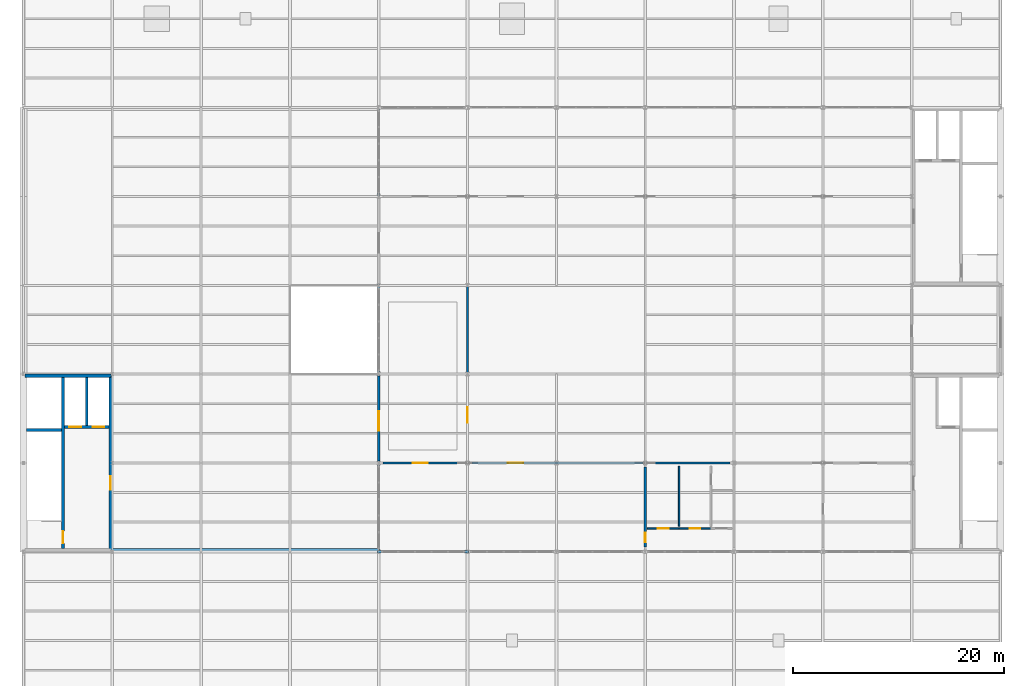
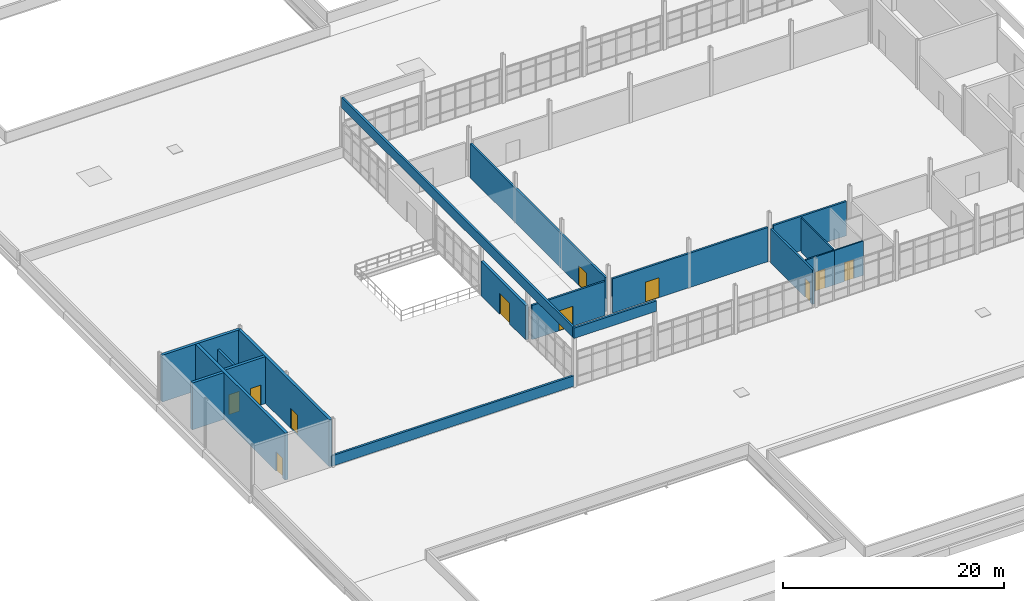
# One storey, part 29 of 33: 18 walls, 11 doors, 11 openings.
"""IFC4 building model written with IfcOpenShell, lengths in metres."""

import ifcopenshell
import ifcopenshell.guid

model = None  # the IFC model being written
_history = None  # IfcOwnerHistory: only IFC2X3 demands one
_inside = {}  # id of a spatial element -> (the spatial element, [elements in it])
_under = {}  # id of a project, library or spatial element -> (it, [spatial elements below it])
_declared = {}  # id of a project -> (the project, [libraries it declares])
_typed = {}  # id of a type object -> (the type object, [elements of that type])
_made_of = {}  # id of a material, layer set ... -> (it, [elements and type objects made of it])


def new_model(schema):
    """Start an empty IFC model of exactly this schema.

    Asked for "IFC4X3", IfcOpenShell would pick the latest addendum, in which some entities
    have other attributes; the version numbers below select the first issue.
    IFC2X3 requires an IfcOwnerHistory on every rooted entity: one is made here for all.
    """
    global model, _history
    if schema == "IFC4X3":
        model = ifcopenshell.file(schema_version=(4, 3, 0, 0))
    else:
        model = ifcopenshell.file(schema=schema)
    _inside.clear()
    _under.clear()
    _declared.clear()
    _typed.clear()
    _made_of.clear()
    _history = None
    if model.schema == "IFC2X3":
        org = make("IfcOrganization", Name="unknown")
        user = make(
            "IfcPersonAndOrganization",
            ThePerson=make("IfcPerson", FamilyName="unknown"),
            TheOrganization=org,
        )
        app = make(
            "IfcApplication",
            ApplicationDeveloper=org,
            Version="unknown",
            ApplicationFullName="unknown",
            ApplicationIdentifier="unknown",
        )
        _history = make(
            "IfcOwnerHistory",
            OwningUser=user,
            OwningApplication=app,
            ChangeAction="ADDED",
            CreationDate=0,
        )
    return model


def make(cls, **values):
    """One entity of the class cls with the attributes given. An attribute that is None is left unset."""
    return model.create_entity(
        cls, **{name: value for name, value in values.items() if value is not None}
    )


def rooted(cls, **values):
    """An entity with a GlobalId (a new one), such as an element, a storey or a relation."""
    return make(cls, GlobalId=ifcopenshell.guid.new(), OwnerHistory=_history, **values)


def si_unit(unit_type, name, prefix=None):
    """IfcSIUnit, for example si_unit("LENGTHUNIT", "METRE", prefix="MILLI")."""
    return make("IfcSIUnit", UnitType=unit_type, Prefix=prefix, Name=name)


def assignment(units):
    """IfcUnitAssignment: the units of a project."""
    return None if units is None else make("IfcUnitAssignment", Units=units)


def point(xyz):
    """IfcCartesianPoint."""
    return None if xyz is None else make("IfcCartesianPoint", Coordinates=xyz)


def direction(xyz):
    """IfcDirection."""
    return None if xyz is None else make("IfcDirection", DirectionRatios=xyz)


def frame(location, z_axis=None, x_axis=None):
    """IfcAxis2Placement3D, a coordinate frame: its origin and axes. An axis left out is left unset."""
    return make(
        "IfcAxis2Placement3D",
        Location=point(location),
        Axis=direction(z_axis),
        RefDirection=direction(x_axis),
    )


def frame_2d(location, x_axis=None):
    """IfcAxis2Placement2D, a coordinate frame in the plane: its origin and x axis."""
    return make(
        "IfcAxis2Placement2D", Location=point(location), RefDirection=direction(x_axis)
    )


def origin():
    """The frame at (0, 0, 0) with its axes left unset."""
    return frame((0.0, 0.0, 0.0))


def place(relative_to, where):
    """IfcLocalPlacement: puts the frame where relative to a parent placement (None: the world)."""
    return make(
        "IfcLocalPlacement", PlacementRelTo=relative_to, RelativePlacement=where
    )


def context(
    kind, dimensions, precision=None, world=None, true_north=None, identifier=None
):
    """IfcGeometricRepresentationContext, for example the 3D "Model" context."""
    return make(
        "IfcGeometricRepresentationContext",
        ContextIdentifier=identifier,
        ContextType=kind,
        CoordinateSpaceDimension=dimensions,
        Precision=precision,
        WorldCoordinateSystem=world,
        TrueNorth=true_north,
    )


def subcontext(parent, identifier, kind, view, scale=None):
    """IfcGeometricRepresentationSubContext, for example "Body" below "Model"."""
    return make(
        "IfcGeometricRepresentationSubContext",
        ContextIdentifier=identifier,
        ContextType=kind,
        ParentContext=parent,
        TargetScale=scale,
        TargetView=view,
    )


def project(units=None, contexts=None):
    """IfcProject with its units and contexts."""
    return rooted(
        "IfcProject",
        Name="project",
        RepresentationContexts=contexts,
        UnitsInContext=assignment(units),
    )


def spatial(cls, under=None, at=None, **own):
    """A site, building, storey or space (cls), placed at a placement, below another one or the project."""
    s = rooted(cls, ObjectPlacement=at, **own)
    if under is not None:
        _under.setdefault(under.id(), (under, []))[1].append(s)
    return s


def profile(cls, at=None, kind="AREA", **sizes):
    """A parametric profile (cls). Its sizes go by their IFC names, for example OverallWidth=200.0."""
    return make(cls, ProfileType=kind, Position=at, **sizes)


def rectangle(**sizes):
    """IfcRectangleProfileDef."""
    return profile("IfcRectangleProfileDef", **sizes)


def extrude(swept, where, along, depth):
    """IfcExtrudedAreaSolid: the profile swept, set in the frame where, extruded along a direction by depth."""
    return make(
        "IfcExtrudedAreaSolid",
        SweptArea=swept,
        Position=where,
        ExtrudedDirection=direction(along),
        Depth=depth,
    )


def shape(context_of_items, identifier, shape_type, items):
    """IfcShapeRepresentation: the items that make up one representation, for example the "Body"."""
    return make(
        "IfcShapeRepresentation",
        ContextOfItems=context_of_items,
        RepresentationIdentifier=identifier,
        RepresentationType=shape_type,
        Items=items,
    )


def material(Name=None, Category=None):
    """IfcMaterial."""
    return make("IfcMaterial", Name=Name, Category=Category)


def layer(
    of_material, thickness, ventilated=None, Name=None, Category=None, Priority=None
):
    """IfcMaterialLayer: one layer of a wall or slab, of a material (None: an air gap)."""
    return make(
        "IfcMaterialLayer",
        Material=of_material,
        LayerThickness=thickness,
        IsVentilated=ventilated,
        Name=Name,
        Category=Category,
        Priority=Priority,
    )


def layer_set(layers, Name=None):
    """IfcMaterialLayerSet."""
    return make("IfcMaterialLayerSet", MaterialLayers=layers, LayerSetName=Name)


def made_of(thing, what):
    """Note that an element or type object is made of a material, layer set ...; save() writes the relation."""
    if what is not None:
        _made_of.setdefault(what.id(), (what, []))[1].append(thing)
    return thing


def type_object(cls, material=None, **own):
    """A type object (cls), such as IfcWallType, which elements share."""
    return made_of(rooted(cls, **own), material)


def element(
    cls,
    number,
    at=None,
    inside=None,
    cuts=None,
    type_object=None,
    material=None,
    context=None,
    identifier="Body",
    shape_type=None,
    held_by="IfcProductDefinitionShape",
    body=None,
    shapes=None,
    **own,
):
    """One element of the class cls, such as IfcWall. Its Tag is "e" and its number.

    at: its placement. inside: the storey or other place that contains it. cuts: it is an
    opening in that element (IfcRelVoidsElement). A single representation is given by context,
    identifier, shape_type and body (its items); several are given by shapes. held_by: the class
    of the entity that holds the representations. save() writes the other relations.
    """
    e = rooted(cls, Tag="e%d" % number, ObjectPlacement=at, **own)
    if body is not None:
        shapes = [shape(context, identifier, shape_type, body)]
    if shapes is not None:
        e.Representation = make(held_by, Representations=shapes)
    if inside is not None:
        _inside.setdefault(inside.id(), (inside, []))[1].append(e)
    if cuts is not None:
        rooted(
            "IfcRelVoidsElement", RelatingBuildingElement=cuts, RelatedOpeningElement=e
        )
    if type_object is not None:
        _typed.setdefault(type_object.id(), (type_object, []))[1].append(e)
    return made_of(e, material)


def fill(opening, filler):
    """IfcRelFillsElement: the door or window that sits in an opening."""
    return rooted(
        "IfcRelFillsElement",
        RelatingOpeningElement=opening,
        RelatedBuildingElement=filler,
    )


def aggregate(whole, parts):
    """IfcRelAggregates: a whole, such as a stair, and the parts it consists of."""
    return rooted("IfcRelAggregates", RelatingObject=whole, RelatedObjects=parts)


def save(model, path):
    """Write the relations noted so far, then the file.

    IfcRelAggregates (storeys below a building ...), IfcRelContainedInSpatialStructure (elements
    in a storey), IfcRelDefinesByType, IfcRelAssociatesMaterial and IfcRelDeclares: one each for
    every whole, place, type object, material and project.
    """
    for whole, parts in _under.values():
        aggregate(whole, parts)
    for where, things in _inside.values():
        rooted(
            "IfcRelContainedInSpatialStructure",
            RelatedElements=things,
            RelatingStructure=where,
        )
    for kind, things in _typed.values():
        rooted("IfcRelDefinesByType", RelatedObjects=things, RelatingType=kind)
    for what, things in _made_of.values():
        rooted("IfcRelAssociatesMaterial", RelatedObjects=things, RelatingMaterial=what)
    for by, libraries in _declared.values():
        rooted("IfcRelDeclares", RelatingContext=by, RelatedDefinitions=libraries)
    model.write(path)


model = new_model("IFC4")

# Units and contexts
model_context = context("Model", 3, precision=1e-05, world=origin(), true_north=direction((0.0, 1.0)))
body_context = subcontext(model_context, "Body", "Model", "MODEL_VIEW")
ifc_project = project(units=[si_unit("LENGTHUNIT", "METRE"), si_unit("AREAUNIT", "SQUARE_METRE"), si_unit("VOLUMEUNIT", "CUBIC_METRE"), si_unit("PLANEANGLEUNIT", "RADIAN"), si_unit("MASSUNIT", "GRAM", prefix="KILO"), si_unit("THERMODYNAMICTEMPERATUREUNIT", "KELVIN"), si_unit("POWERUNIT", "WATT")], contexts=[model_context])

# Site, building, storey
site_placement = place(None, origin())
site = spatial("IfcSite", under=ifc_project, at=site_placement, CompositionType="ELEMENT")
building_placement = place(site_placement, origin())
building = spatial("IfcBuilding", under=site, at=building_placement, Name="Tembeka Court Mobility Hub", CompositionType="ELEMENT")
storey_placement = place(building_placement, frame((0.0, 0.0, 23.39990234375)))
storey = spatial("IfcBuildingStorey", under=building, at=storey_placement, Name="L06", CompositionType="ELEMENT", Elevation=23.39990234375)

# Wall, opening, door
ifc_material_1 = material(Name="Precast concrete C45/55", Category="concrete")
ifc_layer_1 = layer(ifc_material_1, 0.280029296875)
ifc_layer_set_1 = layer_set([ifc_layer_1], Name="Precast concrete C45/55")
wall_type_1 = type_object("IfcWallType", Name="WL-EW02", PredefinedType="STANDARD", material=ifc_layer_set_1)
wall_1_placement = place(storey_placement, frame((33.60009765625, 46.95849609375, 0.0), z_axis=(0.0, 0.0, 1.0), x_axis=(0.0, 1.0, 0.0)))
wall_1 = element("IfcWall", 1, at=wall_1_placement, inside=storey, type_object=wall_type_1, Name="External wall EW02 (EW-L06-0109)", PredefinedType="STANDARD", context=body_context, shape_type="SweptSolid", body=[
    extrude(rectangle(XDim=8.0830078125, YDim=0.280029296875, at=frame_2d((4.04150390625, 0.0))), origin(), (0.0, 0.0, 1.0), 3.795166015625),
])
opening_1_placement = place(wall_1_placement, frame((2.89990234375, 0.0, 0.0)))
opening_1 = element("IfcOpeningElement", 2, at=opening_1_placement, cuts=wall_1, Name="Opening ED04", PredefinedType="OPENING", context=body_context, shape_type="SweptSolid", body=[
    extrude(rectangle(XDim=1.85009765625, YDim=2.300048828125, at=frame_2d((0.925048828125, 1.14990234375))), frame((0.0, 0.14990234375, 0.0), z_axis=(0.0, -1.0, 0.0), x_axis=(1.0, 0.0, 0.0)), (0.0, 0.0, 1.0), 0.300048828125),
])
ifc_material_2 = material(Name="Powder-coated aluminium glazed doorset", Category="aluminium")
door_type_1 = type_object("IfcDoorType", Name="DR-ED04", OperationType="NOTDEFINED", PredefinedType="DOOR", material=ifc_material_2)
door_1_placement = place(opening_1_placement, origin())
door_1 = element("IfcDoor", 3, at=door_1_placement, inside=storey, type_object=door_type_1, Name="L06 sports viewing terrace South door ED04-A", OperationType="DOUBLE_DOOR_SINGLE_SWING", OverallHeight=2.300048828125, OverallWidth=1.85009765625, PredefinedType="DOOR", context=body_context, shape_type="SweptSolid", body=[
    extrude(rectangle(XDim=1.85009765625, YDim=2.300048828125, at=frame_2d((0.925048828125, 1.14990234375))), frame((0.0, 0.02490234375, 0.0), z_axis=(0.0, -1.0, 0.0), x_axis=(1.0, 0.0, 0.0)), (0.0, 0.0, 1.0), 0.050048828125),
])
fill(opening_1, door_1)

# Wall
ifc_material_3 = material(Name="Concrete C40/50", Category="concrete")
ifc_layer_2 = layer(ifc_material_3, 0.25)
ifc_layer_set_2 = layer_set([ifc_layer_2], Name="Concrete C40/50")
wall_type_2 = type_object("IfcWallType", Name="WL-IW01", PredefinedType="PARTITIONING", material=ifc_layer_set_2)
wall_2_placement = place(storey_placement, frame((6.0, 50.35009765625, 0.0), z_axis=(0.0, 0.0, 1.0), x_axis=(0.0, 1.0, 0.0)))
element("IfcWall", 4, at=wall_2_placement, inside=storey, type_object=wall_type_2, Name="Wall IW01 (IW-L06-0064)", PredefinedType="PARTITIONING", context=body_context, shape_type="SweptSolid", body=[
    extrude(rectangle(XDim=4.5498046875, YDim=0.25, at=frame_2d((2.27490234375, 0.0))), origin(), (0.0, 0.0, 1.0), 3.78515625),
])

# Wall, opening, door
ifc_material_4 = material(Name="Concrete blockwork masonry", Category="masonry")
ifc_layer_3 = layer(ifc_material_4, 0.199951171875)
ifc_layer_set_3 = layer_set([ifc_layer_3], Name="Concrete blockwork masonry")
wall_type_3 = type_object("IfcWallType", Name="WL-IW02", PredefinedType="PARTITIONING", material=ifc_layer_set_3)
wall_3_placement = place(storey_placement, frame((58.800048828125, 38.85009765625, 0.0), z_axis=(0.0, 0.0, 1.0), x_axis=(0.0, 1.0, 0.0)))
wall_3 = element("IfcWall", 5, at=wall_3_placement, inside=storey, type_object=wall_type_3, Name="Wall IW02 (IW-L06-0406)", PredefinedType="PARTITIONING", context=body_context, shape_type="SweptSolid", body=[
    extrude(rectangle(XDim=7.5498046875, YDim=0.199951171875, at=frame_2d((3.77490234375, 0.0))), origin(), (0.0, 0.0, 1.0), 3.78515625),
])
opening_2_placement = place(wall_3_placement, frame((0.449951171875, 0.0, 0.0)))
opening_2 = element("IfcOpeningElement", 6, at=opening_2_placement, cuts=wall_3, Name="Opening ID03", PredefinedType="OPENING", context=body_context, shape_type="SweptSolid", body=[
    extrude(rectangle(XDim=0.919921875, YDim=2.10009765625, at=frame_2d((0.4599609375, 1.050048828125))), frame((0.0, 0.10986328125, 0.0), z_axis=(0.0, -1.0, 0.0), x_axis=(1.0, 0.0, 0.0)), (0.0, 0.0, 1.0), 0.219970703125),
])
ifc_material_5 = material(Name="Galvanised steel fire/shutter doorset", Category="steel")
door_type_2 = type_object("IfcDoorType", Name="DR-ID03", OperationType="NOTDEFINED", PredefinedType="DOOR", material=ifc_material_5)
door_2_placement = place(opening_2_placement, origin())
door_2 = element("IfcDoor", 7, at=door_2_placement, inside=storey, type_object=door_type_2, Name="L06 washroom lobby entrance", OperationType="SINGLE_SWING_RIGHT", OverallHeight=2.10009765625, OverallWidth=0.919921875, PredefinedType="DOOR", context=body_context, shape_type="SweptSolid", body=[
    extrude(rectangle(XDim=0.919921875, YDim=2.10009765625, at=frame_2d((0.4599609375, 1.050048828125))), frame((0.0, 0.02490234375, 0.0), z_axis=(0.0, -1.0, 0.0), x_axis=(1.0, 0.0, 0.0)), (0.0, 0.0, 1.0), 0.050048828125),
])
fill(opening_2, door_2)

# Wall
wall_4_placement = place(storey_placement, frame((59.199951171875, 46.800048828125, 0.0), z_axis=(0.0, 0.0, 1.0), x_axis=(1.0, 0.0, 0.0)))
element("IfcWall", 8, at=wall_4_placement, inside=storey, type_object=wall_type_3, Name="Wall IW02 (IW-L06-0407)", PredefinedType="PARTITIONING", context=body_context, shape_type="SweptSolid", body=[
    extrude(rectangle(XDim=7.60009765625, YDim=0.199951171875, at=frame_2d((3.800048828125, 0.0))), origin(), (0.0, 0.0, 1.0), 3.78515625),
])

# Wall, opening, door
wall_5_placement = place(storey_placement, frame((42.0, 47.199951171875, 0.0), z_axis=(0.0, 0.0, 1.0), x_axis=(0.0, 1.0, 0.0)))
wall_5 = element("IfcWall", 9, at=wall_5_placement, inside=storey, type_object=wall_type_3, Name="Wall IW02 (IW-L06-0484)", PredefinedType="PARTITIONING", context=body_context, shape_type="SweptSolid", body=[
    extrude(rectangle(XDim=24.400146484375, YDim=0.199951171875, at=frame_2d((12.2001953125, 0.0))), origin(), (0.0, 0.0, 1.0), 3.78515625),
])
opening_3_placement = place(wall_5_placement, frame((3.39990234375, 0.0, 0.0)))
opening_3 = element("IfcOpeningElement", 10, at=opening_3_placement, cuts=wall_5, Name="Opening ID06", PredefinedType="OPENING", context=body_context, shape_type="SweptSolid", body=[
    extrude(rectangle(XDim=1.449951171875, YDim=2.199951171875, at=frame_2d((0.72509765625, 1.10009765625))), frame((0.0, 0.10986328125, 0.0), z_axis=(0.0, -1.0, 0.0), x_axis=(1.0, 0.0, 0.0)), (0.0, 0.0, 1.0), 0.219970703125),
])
door_type_3 = type_object("IfcDoorType", Name="DR-ID06", OperationType="NOTDEFINED", PredefinedType="DOOR", material=ifc_material_2)
door_3_placement = place(opening_3_placement, origin())
door_3 = element("IfcDoor", 11, at=door_3_placement, inside=storey, type_object=door_type_3, Name="Door ID06-0254", OperationType="DOUBLE_DOOR_SINGLE_SWING", OverallHeight=2.199951171875, OverallWidth=1.449951171875, PredefinedType="DOOR", context=body_context, shape_type="SweptSolid", body=[
    extrude(rectangle(XDim=1.449951171875, YDim=2.199951171875, at=frame_2d((0.72509765625, 1.10009765625))), frame((0.0, 0.02490234375, 0.0), z_axis=(0.0, -1.0, 0.0), x_axis=(1.0, 0.0, 0.0)), (0.0, 0.0, 1.0), 0.050048828125),
])
fill(opening_3, door_3)

wall_6_placement = place(storey_placement, frame((34.0, 46.800048828125, 0.0), z_axis=(0.0, 0.0, 1.0), x_axis=(1.0, 0.0, 0.0)))
wall_6 = element("IfcWall", 12, at=wall_6_placement, inside=storey, type_object=wall_type_3, Name="Wall IW02 (IW-L06-0485)", PredefinedType="PARTITIONING", context=body_context, shape_type="SweptSolid", body=[
    extrude(rectangle(XDim=7.60009765625, YDim=0.199951171875, at=frame_2d((3.800048828125, 0.0))), origin(), (0.0, 0.0, 1.0), 3.78515625),
])
opening_4_placement = place(wall_6_placement, frame((2.800048828125, 0.0, 0.0)))
opening_4 = element("IfcOpeningElement", 13, at=opening_4_placement, cuts=wall_6, Name="Opening ID06", PredefinedType="OPENING", context=body_context, shape_type="SweptSolid", body=[
    extrude(rectangle(XDim=1.449951171875, YDim=2.199951171875, at=frame_2d((0.72509765625, 1.10009765625))), frame((0.0, 0.10986328125, 0.0), z_axis=(0.0, -1.0, 0.0), x_axis=(1.0, 0.0, 0.0)), (0.0, 0.0, 1.0), 0.219970703125),
])
door_4_placement = place(opening_4_placement, origin())
door_4 = element("IfcDoor", 14, at=door_4_placement, inside=storey, type_object=door_type_3, Name="Door ID06-0255", OperationType="DOUBLE_DOOR_SINGLE_SWING", OverallHeight=2.199951171875, OverallWidth=1.449951171875, PredefinedType="DOOR", context=body_context, shape_type="SweptSolid", body=[
    extrude(rectangle(XDim=1.449951171875, YDim=2.199951171875, at=frame_2d((0.72509765625, 1.10009765625))), frame((0.0, 0.02490234375, 0.0), z_axis=(0.0, -1.0, 0.0), x_axis=(1.0, 0.0, 0.0)), (0.0, 0.0, 1.0), 0.050048828125),
])
fill(opening_4, door_4)

wall_7_placement = place(storey_placement, frame((42.39990234375, 46.800048828125, 0.0), z_axis=(0.0, 0.0, 1.0), x_axis=(1.0, 0.0, 0.0)))
wall_7 = element("IfcWall", 15, at=wall_7_placement, inside=storey, type_object=wall_type_3, Name="Wall IW02 (IW-L06-0486)", PredefinedType="PARTITIONING", context=body_context, shape_type="SweptSolid", body=[
    extrude(rectangle(XDim=16.2001953125, YDim=0.199951171875, at=frame_2d((8.10009765625, 0.0))), origin(), (0.0, 0.0, 1.0), 3.78515625),
])
opening_5_placement = place(wall_7_placement, frame((3.39990234375, 0.0, 0.0)))
opening_5 = element("IfcOpeningElement", 16, at=opening_5_placement, cuts=wall_7, Name="Opening ID06", PredefinedType="OPENING", context=body_context, shape_type="SweptSolid", body=[
    extrude(rectangle(XDim=1.449951171875, YDim=2.199951171875, at=frame_2d((0.72509765625, 1.10009765625))), frame((0.0, 0.10986328125, 0.0), z_axis=(0.0, -1.0, 0.0), x_axis=(1.0, 0.0, 0.0)), (0.0, 0.0, 1.0), 0.219970703125),
])
door_5_placement = place(opening_5_placement, origin())
door_5 = element("IfcDoor", 17, at=door_5_placement, inside=storey, type_object=door_type_3, Name="Door ID06-0256", OperationType="DOUBLE_DOOR_SINGLE_SWING", OverallHeight=2.199951171875, OverallWidth=1.449951171875, PredefinedType="DOOR", context=body_context, shape_type="SweptSolid", body=[
    extrude(rectangle(XDim=1.449951171875, YDim=2.199951171875, at=frame_2d((0.72509765625, 1.10009765625))), frame((0.0, 0.02490234375, 0.0), z_axis=(0.0, -1.0, 0.0), x_axis=(1.0, 0.0, 0.0)), (0.0, 0.0, 1.0), 0.050048828125),
])
fill(opening_5, door_5)

ifc_material_6 = material(Name="Moisture-resistant gypsum partition", Category="masonry")
ifc_layer_4 = layer(ifc_material_6, 0.139892578125)
ifc_layer_set_4 = layer_set([ifc_layer_4], Name="Moisture-resistant gypsum partition")
wall_type_4 = type_object("IfcWallType", Name="WL-IW05", PredefinedType="PARTITIONING", material=ifc_layer_set_4)
wall_8_placement = place(storey_placement, frame((59.0, 40.60009765625, 0.0), z_axis=(0.0, 0.0, 1.0), x_axis=(1.0, 0.0, 0.0)))
wall_8 = element("IfcWall", 18, at=wall_8_placement, inside=storey, type_object=wall_type_4, Name="Wall IW05 (IW-L06-0409)", PredefinedType="PARTITIONING", context=body_context, shape_type="SweptSolid", body=[
    extrude(rectangle(XDim=3.0, YDim=0.139892578125, at=frame_2d((1.5, 0.0))), origin(), (0.0, 0.0, 1.0), 3.78515625),
])
opening_6_placement = place(wall_8_placement, frame((1.0, 0.0, 0.0)))
opening_6 = element("IfcOpeningElement", 19, at=opening_6_placement, cuts=wall_8, Name="Opening ID02", PredefinedType="OPENING", context=body_context, shape_type="SweptSolid", body=[
    extrude(rectangle(XDim=1.0, YDim=2.10009765625, at=frame_2d((0.5, 1.050048828125))), frame((0.0, 0.080078125, 0.0), z_axis=(0.0, -1.0, 0.0), x_axis=(1.0, 0.0, 0.0)), (0.0, 0.0, 1.0), 0.159912109375),
])
door_type_4 = type_object("IfcDoorType", Name="DR-ID02", OperationType="NOTDEFINED", PredefinedType="DOOR", material=ifc_material_2)
door_6_placement = place(opening_6_placement, origin())
door_6 = element("IfcDoor", 20, at=door_6_placement, inside=storey, type_object=door_type_4, Name="L06 male WC door", OperationType="SINGLE_SWING_LEFT", OverallHeight=2.10009765625, OverallWidth=1.0, PredefinedType="DOOR", context=body_context, shape_type="SweptSolid", body=[
    extrude(rectangle(XDim=1.0, YDim=2.10009765625, at=frame_2d((0.5, 1.050048828125))), frame((0.0, 0.02490234375, 0.0), z_axis=(0.0, -1.0, 0.0), x_axis=(1.0, 0.0, 0.0)), (0.0, 0.0, 1.0), 0.050048828125),
])
fill(opening_6, door_6)

wall_9_placement = place(storey_placement, frame((62.0, 40.60009765625, 0.0), z_axis=(0.0, 0.0, 1.0), x_axis=(1.0, 0.0, 0.0)))
wall_9 = element("IfcWall", 21, at=wall_9_placement, inside=storey, type_object=wall_type_4, Name="Wall IW05 (IW-L06-0410)", PredefinedType="PARTITIONING", context=body_context, shape_type="SweptSolid", body=[
    extrude(rectangle(XDim=3.0, YDim=0.139892578125, at=frame_2d((1.5, 0.0))), origin(), (0.0, 0.0, 1.0), 3.78515625),
])
opening_7_placement = place(wall_9_placement, frame((1.0, 0.0, 0.0)))
opening_7 = element("IfcOpeningElement", 22, at=opening_7_placement, cuts=wall_9, Name="Opening ID02", PredefinedType="OPENING", context=body_context, shape_type="SweptSolid", body=[
    extrude(rectangle(XDim=1.0, YDim=2.10009765625, at=frame_2d((0.5, 1.050048828125))), frame((0.0, 0.080078125, 0.0), z_axis=(0.0, -1.0, 0.0), x_axis=(1.0, 0.0, 0.0)), (0.0, 0.0, 1.0), 0.159912109375),
])
door_7_placement = place(opening_7_placement, origin())
door_7 = element("IfcDoor", 23, at=door_7_placement, inside=storey, type_object=door_type_4, Name="L06 female WC door", OperationType="SINGLE_SWING_RIGHT", OverallHeight=2.10009765625, OverallWidth=1.0, PredefinedType="DOOR", context=body_context, shape_type="SweptSolid", body=[
    extrude(rectangle(XDim=1.0, YDim=2.10009765625, at=frame_2d((0.5, 1.050048828125))), frame((0.0, 0.02490234375, 0.0), z_axis=(0.0, -1.0, 0.0), x_axis=(1.0, 0.0, 0.0)), (0.0, 0.0, 1.0), 0.050048828125),
])
fill(opening_7, door_7)

# Walls
wall_10_placement = place(storey_placement, frame((62.0, 40.800048828125, 0.0), z_axis=(0.0, 0.0, 1.0), x_axis=(0.0, 1.0, 0.0)))
element("IfcWall", 24, at=wall_10_placement, inside=storey, type_object=wall_type_4, Name="Wall IW05 (IW-L06-0412)", PredefinedType="PARTITIONING", context=body_context, shape_type="SweptSolid", body=[
    extrude(rectangle(XDim=5.699951171875, YDim=0.139892578125, at=frame_2d((2.85009765625, 0.0))), origin(), (0.0, 0.0, 1.0), 3.78515625),
])
ifc_layer_5 = layer(ifc_material_1, 0.219970703125)
ifc_layer_set_5 = layer_set([ifc_layer_5], Name="Precast concrete C45/55")
wall_type_5 = type_object("IfcWallType", Name="WL-PP01", PredefinedType="PARAPET", material=ifc_layer_set_5)
wall_11_placement = place(storey_placement, frame((8.2900390625, 38.580078125, 0.0), z_axis=(0.0, 0.0, 1.0), x_axis=(1.0, 0.0, 0.0)))
element("IfcWall", 25, at=wall_11_placement, inside=storey, type_object=wall_type_5, Name="Roof parapet wall PP01-16", PredefinedType="PARAPET", context=body_context, shape_type="SweptSolid", body=[
    extrude(rectangle(XDim=25.320068359375, YDim=0.219970703125, at=frame_2d((12.66015625, 0.0))), origin(), (0.0, 0.0, 1.0), 1.150146484375),
])
wall_12_placement = place(storey_placement, frame((33.489990234375, 38.39990234375, 5.400146484375), z_axis=(0.0, 0.0, 1.0), x_axis=(1.0, 0.0, 0.0)))
element("IfcWall", 26, at=wall_12_placement, inside=storey, type_object=wall_type_5, Name="Roof parapet wall PP01-34", PredefinedType="PARAPET", context=body_context, shape_type="SweptSolid", body=[
    extrude(rectangle(XDim=8.6201171875, YDim=0.219970703125, at=frame_2d((4.31005859375, 0.0))), origin(), (0.0, 0.0, 1.0), 1.14990234375),
])
wall_13_placement = place(storey_placement, frame((33.60009765625, 38.514892578125, 5.400146484375), z_axis=(0.0, 0.0, 1.0), x_axis=(0.0, 1.0, 0.0)))
element("IfcWall", 27, at=wall_13_placement, inside=storey, type_object=wall_type_5, Name="Roof parapet wall PP01-36", PredefinedType="PARAPET", context=body_context, shape_type="SweptSolid", body=[
    extrude(rectangle(XDim=41.77001953125, YDim=0.219970703125, at=frame_2d((20.885009765625, 0.0))), origin(), (0.0, 0.0, 1.0), 1.14990234375),
])
ifc_layer_6 = layer(ifc_material_3, 0.300048828125)
ifc_layer_set_6 = layer_set([ifc_layer_6], Name="Concrete C40/50")
wall_type_6 = type_object("IfcWallType", Name="WL-SW01", PredefinedType="SHEAR", material=ifc_layer_set_6)
wall_14_placement = place(storey_placement, frame((0.1259765625, 55.050048828125, 0.0), z_axis=(0.0, 0.0, 1.0), x_axis=(1.0, 0.0, 0.0)))
element("IfcWall", 28, at=wall_14_placement, inside=storey, type_object=wall_type_6, Name="Wall SW01 (IW-L06-0058)", PredefinedType="SHEAR", context=body_context, shape_type="SweptSolid", body=[
    extrude(rectangle(XDim=8.14794921875, YDim=0.300048828125, at=frame_2d((4.073974609375, 0.0))), origin(), (0.0, 0.0, 1.0), 5.170166015625),
])
wall_15_placement = place(storey_placement, frame((0.300048828125, 49.89990234375, 0.0), z_axis=(0.0, 0.0, 1.0), x_axis=(1.0, 0.0, 0.0)))
element("IfcWall", 29, at=wall_15_placement, inside=storey, type_object=wall_type_6, Name="Wall SW01 (IW-L06-0059)", PredefinedType="SHEAR", context=body_context, shape_type="SweptSolid", body=[
    extrude(rectangle(XDim=3.300048828125, YDim=0.300048828125, at=frame_2d((1.64990234375, 0.0))), origin(), (0.0, 0.0, 1.0), 5.170166015625),
])

# Wall, opening, door
wall_16_placement = place(storey_placement, frame((8.25, 38.528076171875, 0.0), z_axis=(0.0, 0.0, 1.0), x_axis=(0.0, 1.0, 0.0)))
wall_16 = element("IfcWall", 30, at=wall_16_placement, inside=storey, type_object=wall_type_6, Name="Wall SW01 (IW-L06-0061)", PredefinedType="SHEAR", context=body_context, shape_type="SweptSolid", body=[
    extrude(rectangle(XDim=16.5439453125, YDim=0.300048828125, at=frame_2d((8.27197265625, 0.0))), origin(), (0.0, 0.0, 1.0), 5.170166015625),
])
opening_8_placement = place(wall_16_placement, frame((5.721923828125, 0.0, 0.0)))
opening_8 = element("IfcOpeningElement", 31, at=opening_8_placement, cuts=wall_16, Name="Opening FD02", PredefinedType="OPENING", context=body_context, shape_type="SweptSolid", body=[
    extrude(rectangle(XDim=1.300048828125, YDim=2.199951171875, at=frame_2d((0.64990234375, 1.10009765625))), frame((0.0, 0.16015625, 0.0), z_axis=(0.0, -1.0, 0.0), x_axis=(1.0, 0.0, 0.0)), (0.0, 0.0, 1.0), 0.320068359375),
])
door_type_5 = type_object("IfcDoorType", Name="DR-FD02", OperationType="NOTDEFINED", PredefinedType="DOOR", material=ifc_material_5)
door_8_placement = place(opening_8_placement, origin())
door_8 = element("IfcDoor", 32, at=door_8_placement, inside=storey, type_object=door_type_5, Name="Door FD02-0030", OperationType="SINGLE_SWING_LEFT", OverallHeight=2.199951171875, OverallWidth=1.300048828125, PredefinedType="DOOR", context=body_context, shape_type="SweptSolid", body=[
    extrude(rectangle(XDim=1.300048828125, YDim=2.199951171875, at=frame_2d((0.64990234375, 1.10009765625))), frame((0.0, 0.02490234375, 0.0), z_axis=(0.0, -1.0, 0.0), x_axis=(1.0, 0.0, 0.0)), (0.0, 0.0, 1.0), 0.050048828125),
])
fill(opening_8, door_8)

wall_17_placement = place(storey_placement, frame((3.75, 38.699951171875, 0.0), z_axis=(0.0, 0.0, 1.0), x_axis=(0.0, 1.0, 0.0)))
wall_17 = element("IfcWall", 33, at=wall_17_placement, inside=storey, type_object=wall_type_6, Name="Wall SW01 (IW-L06-0062)", PredefinedType="SHEAR", context=body_context, shape_type="SweptSolid", body=[
    extrude(rectangle(XDim=16.199951171875, YDim=0.300048828125, at=frame_2d((8.10009765625, 0.0))), origin(), (0.0, 0.0, 1.0), 5.170166015625),
])
opening_9_placement = place(wall_17_placement, frame((0.5, 0.0, 0.0)))
opening_9 = element("IfcOpeningElement", 34, at=opening_9_placement, cuts=wall_17, Name="Opening FD03", PredefinedType="OPENING", context=body_context, shape_type="SweptSolid", body=[
    extrude(rectangle(XDim=1.14990234375, YDim=2.14990234375, at=frame_2d((0.574951171875, 1.074951171875))), frame((0.0, 0.16015625, 0.0), z_axis=(0.0, -1.0, 0.0), x_axis=(1.0, 0.0, 0.0)), (0.0, 0.0, 1.0), 0.320068359375),
])
door_type_6 = type_object("IfcDoorType", Name="DR-FD03", OperationType="NOTDEFINED", PredefinedType="DOOR", material=ifc_material_5)
door_9_placement = place(opening_9_placement, frame((1.14990234375, 0.0, 0.0), z_axis=(0.0, 0.0, 1.0), x_axis=(-1.0, 0.0, 0.0)))
door_9 = element("IfcDoor", 35, at=door_9_placement, inside=storey, type_object=door_type_6, Name="Door FD03-0031", OperationType="SINGLE_SWING_LEFT", OverallHeight=2.14990234375, OverallWidth=1.14990234375, PredefinedType="DOOR", context=body_context, shape_type="SweptSolid", body=[
    extrude(rectangle(XDim=1.14990234375, YDim=2.14990234375, at=frame_2d((0.574951171875, 1.074951171875))), frame((0.0, 0.02490234375, 0.0), z_axis=(0.0, -1.0, 0.0), x_axis=(1.0, 0.0, 0.0)), (0.0, 0.0, 1.0), 0.050048828125),
])
fill(opening_9, door_9)

# Wall, openings, doors
wall_18_placement = place(storey_placement, frame((3.89990234375, 50.199951171875, 0.0), z_axis=(0.0, 0.0, 1.0), x_axis=(1.0, 0.0, 0.0)))
wall_18 = element("IfcWall", 36, at=wall_18_placement, inside=storey, type_object=wall_type_6, Name="Wall SW01 (IW-L06-0063)", PredefinedType="SHEAR", context=body_context, shape_type="SweptSolid", body=[
    extrude(rectangle(XDim=4.2001953125, YDim=0.300048828125, at=frame_2d((2.10009765625, 0.0))), origin(), (0.0, 0.0, 1.0), 5.170166015625),
])
opening_10_placement = place(wall_18_placement, frame((0.449951171875, 0.0, 0.0)))
opening_10 = element("IfcOpeningElement", 37, at=opening_10_placement, cuts=wall_18, Name="Opening LD01", PredefinedType="OPENING", context=body_context, shape_type="SweptSolid", body=[
    extrude(rectangle(XDim=1.10009765625, YDim=2.199951171875, at=frame_2d((0.550048828125, 1.10009765625))), frame((0.0, 0.16015625, 0.0), z_axis=(0.0, -1.0, 0.0), x_axis=(1.0, 0.0, 0.0)), (0.0, 0.0, 1.0), 0.320068359375),
])
opening_11_placement = place(wall_18_placement, frame((2.64990234375, 0.0, 0.0)))
opening_11 = element("IfcOpeningElement", 38, at=opening_11_placement, cuts=wall_18, Name="Opening LD01", PredefinedType="OPENING", context=body_context, shape_type="SweptSolid", body=[
    extrude(rectangle(XDim=1.10009765625, YDim=2.199951171875, at=frame_2d((0.550048828125, 1.10009765625))), frame((0.0, 0.16015625, 0.0), z_axis=(0.0, -1.0, 0.0), x_axis=(1.0, 0.0, 0.0)), (0.0, 0.0, 1.0), 0.320068359375),
])
door_type_7 = type_object("IfcDoorType", Name="DR-LD01", OperationType="SLIDING_TO_LEFT", PredefinedType="DOOR", material=ifc_material_5)
door_10_placement = place(opening_10_placement, origin())
door_10 = element("IfcDoor", 39, at=door_10_placement, inside=storey, type_object=door_type_7, Name="Lift LF01 landing door L06", OperationType="SLIDING_TO_LEFT", OverallHeight=2.199951171875, OverallWidth=1.10009765625, PredefinedType="DOOR", context=body_context, shape_type="SweptSolid", body=[
    extrude(rectangle(XDim=1.10009765625, YDim=2.199951171875, at=frame_2d((0.550048828125, 1.10009765625))), frame((0.0, 0.02490234375, 0.0), z_axis=(0.0, -1.0, 0.0), x_axis=(1.0, 0.0, 0.0)), (0.0, 0.0, 1.0), 0.050048828125),
])
fill(opening_10, door_10)
door_11_placement = place(opening_11_placement, origin())
door_11 = element("IfcDoor", 40, at=door_11_placement, inside=storey, type_object=door_type_7, Name="Lift LF03 landing door L06", OperationType="SLIDING_TO_LEFT", OverallHeight=2.199951171875, OverallWidth=1.10009765625, PredefinedType="DOOR", context=body_context, shape_type="SweptSolid", body=[
    extrude(rectangle(XDim=1.10009765625, YDim=2.199951171875, at=frame_2d((0.550048828125, 1.10009765625))), frame((0.0, 0.02490234375, 0.0), z_axis=(0.0, -1.0, 0.0), x_axis=(1.0, 0.0, 0.0)), (0.0, 0.0, 1.0), 0.050048828125),
])
fill(opening_11, door_11)

save(model, "model.ifc")
